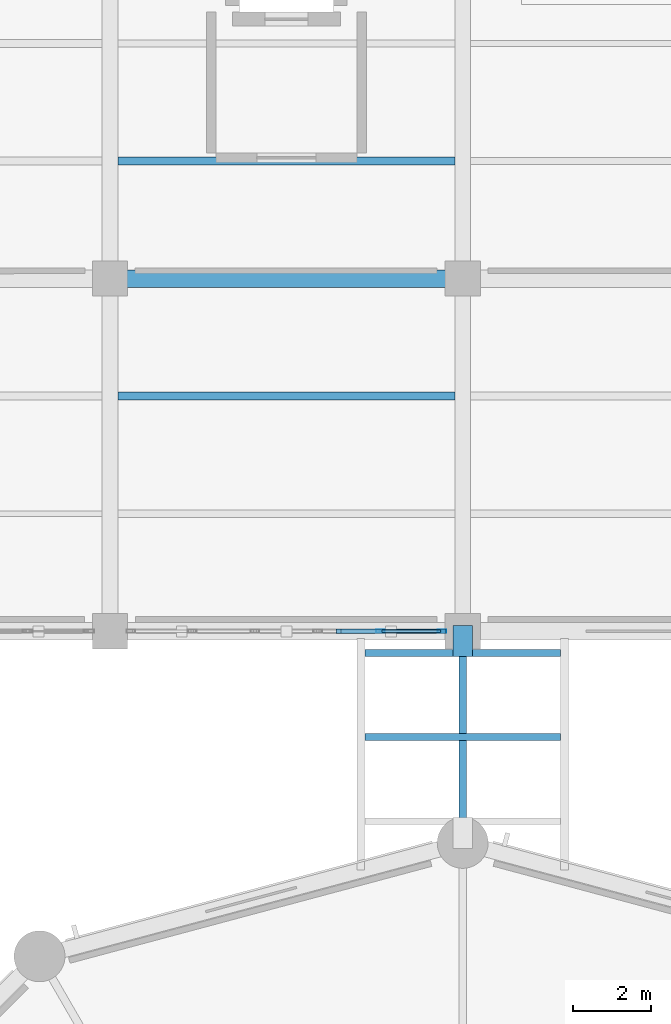
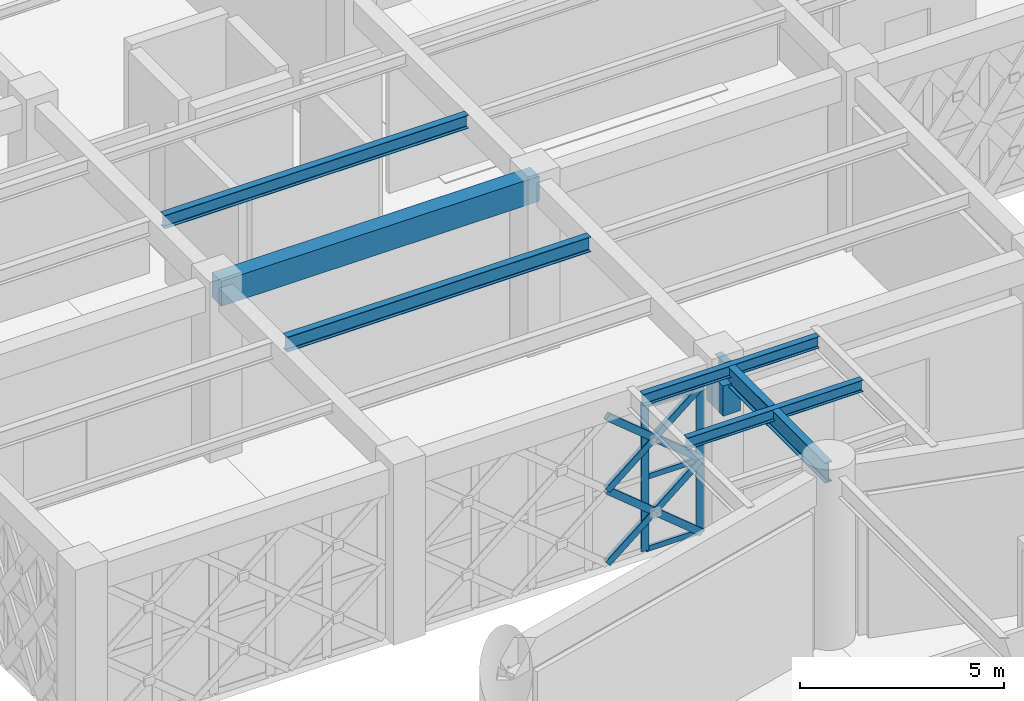
# One storey, part 78 of 166: 11 members, 7 beams, 1 element without a shape of its own.
"""IFC4 building model written with IfcOpenShell, lengths in metres."""

from ifc_helpers import new_model, si_unit, direction, frame, origin, origin_2d, place, context, subcontext, project, spatial, rectangle, hollow_rectangle, i_section, extrude, material, material_profile, profile_set, type_object, element, aggregate, save


model = new_model("IFC4")

# Units and contexts
model_context = context("Model", 3, precision=1e-05, world=origin(), true_north=direction((0.0, 1.0)))
body_context = subcontext(model_context, "Body", "Model", "MODEL_VIEW")
ifc_project = project(units=[si_unit("LENGTHUNIT", "METRE"), si_unit("AREAUNIT", "SQUARE_METRE"), si_unit("VOLUMEUNIT", "CUBIC_METRE"), si_unit("PLANEANGLEUNIT", "RADIAN"), si_unit("MASSUNIT", "GRAM", prefix="KILO")], contexts=[model_context])

# Site, building, storey
site_placement = place(None, origin())
site = spatial("IfcSite", under=ifc_project, at=site_placement, CompositionType="ELEMENT")
building_placement = place(site_placement, origin())
building = spatial("IfcBuilding", under=site, at=building_placement, Name="Haizhuo Lancet Aquarium", CompositionType="ELEMENT")
storey_placement = place(building_placement, frame((0.0, 0.0, 5.39990234375)))
storey = spatial("IfcBuildingStorey", under=building, at=storey_placement, Name="L01", CompositionType="ELEMENT", Elevation=5.39990234375)

# Beams
ifc_material_1 = material(Name="Concrete C40/50", Category="concrete")
ifc_material_profile_1 = material_profile(ifc_material_1, rectangle(XDim=0.449951171875, YDim=0.75, at=origin_2d()), Name="RC-BM 450x750")
ifc_profile_set_1 = profile_set([ifc_material_profile_1], Name="Concrete C40/50")
beam_type_1 = type_object("IfcBeamType", Name="BM-RC-450x750", PredefinedType="BEAM", material=ifc_profile_set_1)
beam_1_placement = place(storey_placement, frame((-9.0, 36.0, 4.76513671875), z_axis=(1.0, 0.0, 0.0), x_axis=(0.0, 1.0, 0.0)))
element("IfcBeam", 1, at=beam_1_placement, inside=storey, type_object=beam_type_1, Name="L01 V5 primary girder BM-L01-V5-013", PredefinedType="BEAM", context=body_context, shape_type="SweptSolid", body=[
    extrude(rectangle(XDim=0.449951171875, YDim=0.75, at=origin_2d()), origin(), (0.0, 0.0, 1.0), 9.0),
])
ifc_material_profile_2 = material_profile(ifc_material_1, rectangle(XDim=0.5, YDim=0.89990234375, at=origin_2d()), Name="RC-BM 500x900")
ifc_profile_set_2 = profile_set([ifc_material_profile_2], Name="Concrete C40/50")
beam_type_2 = type_object("IfcBeamType", Name="BM-RC-500x900", PredefinedType="BEAM", material=ifc_profile_set_2)
beam_2_placement = place(storey_placement, frame((0.0, 27.14990234375, 4.205078125), z_axis=(0.0, -1.0, 0.0), x_axis=(1.0, 0.0, 0.0)))
element("IfcBeam", 2, at=beam_2_placement, inside=storey, type_object=beam_type_2, Name="Reinforced concrete bridge bearing corbel SB-03 1N", PredefinedType="BEAM", context=body_context, shape_type="SweptSolid", body=[
    extrude(rectangle(XDim=0.5, YDim=0.89990234375, at=origin_2d()), origin(), (0.0, 0.0, 1.0), 0.7998046875),
])
ifc_material_2 = material(Name="Steel S355", Category="steel")
ifc_material_profile_3 = material_profile(ifc_material_2, i_section(OverallWidth=0.199951171875, OverallDepth=0.60009765625, WebThickness=0.010986328125, FlangeThickness=0.01708984375, FilletRadius=0.02197265625, at=origin_2d()), Name="HN 600x200x11x17")
ifc_profile_set_3 = profile_set([ifc_material_profile_3], Name="Steel S355")
beam_type_3 = type_object("IfcBeamType", Name="BM-ST-HN600", PredefinedType="BEAM", material=ifc_profile_set_3)
beam_3_placement = place(storey_placement, frame((0.0, 21.60009765625, 4.880126953125), z_axis=(0.0, 1.0, 0.0), x_axis=(-1.0, 0.0, 0.0)))
element("IfcBeam", 3, at=beam_3_placement, inside=storey, type_object=beam_type_3, Name="Glazed bridge longitudinal girder SB-03 1", PredefinedType="BEAM", context=body_context, shape_type="SweptSolid", body=[
    extrude(i_section(OverallWidth=0.199951171875, OverallDepth=0.60009765625, WebThickness=0.010986328125, FlangeThickness=0.01708984375, FilletRadius=0.02197265625, at=origin_2d()), origin(), (0.0, 0.0, 1.0), 5.39990234375),
])

# Curtain wall, members
ifc_material_3 = material(Name="Aluminium 6063-T6", Category="aluminium")
curtain_wall_type = type_object("IfcCurtainWallType", Name="CWO-8010x4390", PredefinedType="NOTDEFINED", material=ifc_material_3)
curtain_wall_placement = place(storey_placement, origin())
curtain_wall = element("IfcCurtainWall", 4, at=curtain_wall_placement, inside=storey, type_object=curtain_wall_type, Name="L01 curtain wall CW-V5-L01-140", PredefinedType="NOTDEFINED")
ifc_material_profile_4 = material_profile(ifc_material_3, hollow_rectangle(XDim=0.074951171875, YDim=0.219970703125, WallThickness=0.0048828125, at=origin_2d()), Name="ALU-M 75x220x5")
ifc_profile_set_4 = profile_set([ifc_material_profile_4], Name="Aluminium 6063-T6")
member_type_1 = type_object("IfcMemberType", Name="CW-MUL-2", PredefinedType="MULLION", material=ifc_profile_set_4)
member_1_placement = place(storey_placement, frame((-0.531982421875, 27.0, 0.0), z_axis=(0.0, 0.0, 1.0), x_axis=(0.0, -1.0, 0.0)))
member_1 = element("IfcMember", 5, at=member_1_placement, type_object=member_type_1, Name="CWO-80x43 mullion 1", PredefinedType="MULLION", context=body_context, shape_type="SweptSolid", body=[
    extrude(hollow_rectangle(XDim=0.074951171875, YDim=0.219970703125, WallThickness=0.0048828125, at=origin_2d()), origin(), (0.0, 0.0, 1.0), 4.39013671875),
])
member_2_placement = place(storey_placement, frame((-2.096923828125, 27.0, 0.0), z_axis=(0.0, 0.0, 1.0), x_axis=(0.0, -1.0, 0.0)))
member_2 = element("IfcMember", 6, at=member_2_placement, type_object=member_type_1, Name="CWO-80x43 mullion 2", PredefinedType="MULLION", context=body_context, shape_type="SweptSolid", body=[
    extrude(hollow_rectangle(XDim=0.074951171875, YDim=0.219970703125, WallThickness=0.0048828125, at=origin_2d()), origin(), (0.0, 0.0, 1.0), 4.39013671875),
])
ifc_material_profile_5 = material_profile(ifc_material_3, hollow_rectangle(XDim=0.074951171875, YDim=0.159912109375, WallThickness=0.00390625, at=origin_2d()), Name="ALU-T 75x160x4")
ifc_profile_set_5 = profile_set([ifc_material_profile_5], Name="Aluminium 6063-T6")
member_type_2 = type_object("IfcMemberType", Name="CW-TRN-2", PredefinedType="NOTDEFINED", material=ifc_profile_set_5)
member_3_placement = place(storey_placement, frame((-0.570068359375, 27.0, 0.0380859375), z_axis=(-1.0, 0.0, 0.0), x_axis=(0.0, -1.0, 0.0)))
member_3 = element("IfcMember", 7, at=member_3_placement, type_object=member_type_2, Name="CWO-80x43 transom 1.1", ObjectType="TRANSOM", PredefinedType="USERDEFINED", context=body_context, shape_type="SweptSolid", body=[
    extrude(hollow_rectangle(XDim=0.074951171875, YDim=0.159912109375, WallThickness=0.00390625, at=origin_2d()), origin(), (0.0, 0.0, 1.0), 1.489990234375),
])
member_4_placement = place(storey_placement, frame((-0.570068359375, 27.0, 2.195068359375), z_axis=(-1.0, 0.0, 0.0), x_axis=(0.0, -1.0, 0.0)))
member_4 = element("IfcMember", 8, at=member_4_placement, type_object=member_type_2, Name="CWO-80x43 transom 1.2", ObjectType="TRANSOM", PredefinedType="USERDEFINED", context=body_context, shape_type="SweptSolid", body=[
    extrude(hollow_rectangle(XDim=0.074951171875, YDim=0.159912109375, WallThickness=0.00390625, at=origin_2d()), origin(), (0.0, 0.0, 1.0), 1.489990234375),
])
member_5_placement = place(storey_placement, frame((-0.570068359375, 27.0, 4.35205078125), z_axis=(-1.0, 0.0, 0.0), x_axis=(0.0, -1.0, 0.0)))
member_5 = element("IfcMember", 9, at=member_5_placement, type_object=member_type_2, Name="CWO-80x43 transom 1.3", ObjectType="TRANSOM", PredefinedType="USERDEFINED", context=body_context, shape_type="SweptSolid", body=[
    extrude(hollow_rectangle(XDim=0.074951171875, YDim=0.159912109375, WallThickness=0.00390625, at=origin_2d()), origin(), (0.0, 0.0, 1.0), 1.489990234375),
])
aggregate(curtain_wall, [member_1, member_2, member_3, member_4, member_5])

# Beams
ifc_material_profile_6 = material_profile(ifc_material_2, i_section(OverallWidth=0.175048828125, OverallDepth=0.35009765625, WebThickness=0.007080078125, FlangeThickness=0.010986328125, FilletRadius=0.013916015625, at=origin_2d()), Name="HN 350x175x7x11")
ifc_profile_set_6 = profile_set([ifc_material_profile_6], Name="Steel S355")
beam_type_4 = type_object("IfcBeamType", Name="JST-ST-HN350", PredefinedType="JOIST", material=ifc_profile_set_6)
for number, where, z_axis, x_axis, name in (
    (10, (-2.489990234375, 24.300048828125, 5.005126953125), (1.0, 0.0, 0.0), (0.0, 1.0, 0.0), "Glazed bridge floor cross joist SB-03 M"),
    (11, (-2.489990234375, 26.449951171875, 5.005126953125), (1.0, 0.0, 0.0), (0.0, 1.0, 0.0), "Glazed bridge floor cross joist SB-03 N"),
):
    element("IfcBeam", number, at=place(storey_placement, frame(where, z_axis=z_axis, x_axis=x_axis)), inside=storey, type_object=beam_type_4, Name=name, PredefinedType="JOIST", context=body_context, shape_type="SweptSolid", body=[
        extrude(i_section(OverallWidth=0.175048828125, OverallDepth=0.35009765625, WebThickness=0.007080078125, FlangeThickness=0.010986328125, FilletRadius=0.013916015625, at=origin_2d()), origin(), (0.0, 0.0, 1.0), 4.97998046875),
    ])
ifc_material_profile_7 = material_profile(ifc_material_2, i_section(OverallWidth=0.199951171875, OverallDepth=0.39990234375, WebThickness=0.008056640625, FlangeThickness=0.012939453125, FilletRadius=0.01611328125, at=origin_2d()), Name="HN 400x200x8x13")
ifc_profile_set_7 = profile_set([ifc_material_profile_7], Name="Steel S355")
beam_type_5 = type_object("IfcBeamType", Name="JST-ST-HN400", PredefinedType="JOIST", material=ifc_profile_set_7)
beam_4_placement = place(storey_placement, frame((-8.800048828125, 39.0, 4.940185546875), z_axis=(1.0, 0.0, 0.0), x_axis=(0.0, 1.0, 0.0)))
element("IfcBeam", 12, at=beam_4_placement, inside=storey, type_object=beam_type_5, Name="L01 V5 secondary floor joist 10", PredefinedType="JOIST", context=body_context, shape_type="SweptSolid", body=[
    extrude(i_section(OverallWidth=0.199951171875, OverallDepth=0.39990234375, WebThickness=0.008056640625, FlangeThickness=0.012939453125, FilletRadius=0.01611328125, at=origin_2d()), origin(), (0.0, 0.0, 1.0), 8.60009765625),
])
ifc_material_profile_8 = material_profile(ifc_material_2, i_section(OverallWidth=0.199951171875, OverallDepth=0.449951171875, WebThickness=0.009033203125, FlangeThickness=0.013916015625, FilletRadius=0.01806640625, at=origin_2d()), Name="HN 450x200x9x14")
ifc_profile_set_8 = profile_set([ifc_material_profile_8], Name="Steel S355")
beam_type_6 = type_object("IfcBeamType", Name="JST-ST-HN450", PredefinedType="JOIST", material=ifc_profile_set_8)
beam_5_placement = place(storey_placement, frame((-8.800048828125, 33.0, 4.9150390625), z_axis=(1.0, 0.0, 0.0), x_axis=(0.0, 1.0, 0.0)))
element("IfcBeam", 13, at=beam_5_placement, inside=storey, type_object=beam_type_6, Name="L01 V5 secondary floor joist 9", PredefinedType="JOIST", context=body_context, shape_type="SweptSolid", body=[
    extrude(i_section(OverallWidth=0.199951171875, OverallDepth=0.449951171875, WebThickness=0.009033203125, FlangeThickness=0.013916015625, FilletRadius=0.01806640625, at=origin_2d()), origin(), (0.0, 0.0, 1.0), 8.60009765625),
])

# Members
ifc_material_profile_9 = material_profile(ifc_material_2, hollow_rectangle(XDim=0.1201171875, YDim=0.199951171875, WallThickness=0.008056640625, at=origin_2d()), Name="RHS 120x200x8")
ifc_profile_set_9 = profile_set([ifc_material_profile_9], Name="Steel S355")
member_type_3 = type_object("IfcMemberType", Name="MEM-LB-RHS120x200", PredefinedType="BRACE", material=ifc_profile_set_9)
member_6_placement = place(storey_placement, frame((-0.4951171875, 27.0, 0.0), z_axis=(-0.772453976084, 0.0, 0.635070747895), x_axis=(0.0, -1.0, 0.0)))
element("IfcMember", 14, at=member_6_placement, inside=storey, type_object=member_type_3, Name="Gothic lancet continuous diagonal brace CW-V5-L01-140 1A", PredefinedType="BRACE", context=body_context, shape_type="SweptSolid", body=[
    extrude(hollow_rectangle(XDim=0.1201171875, YDim=0.199951171875, WallThickness=0.008056640625, at=origin_2d()), origin(), (0.0, 0.0, 1.0), 3.456298828125),
])
member_7_placement = place(storey_placement, frame((-3.1650390625, 27.0, 0.0), z_axis=(0.772280733977, 0.0, 0.635281408454), x_axis=(0.0, 1.0, 0.0)))
element("IfcMember", 15, at=member_7_placement, inside=storey, type_object=member_type_3, Name="Gothic lancet split diagonal brace CW-V5-L01-140 1B1", PredefinedType="BRACE", context=body_context, shape_type="SweptSolid", body=[
    extrude(hollow_rectangle(XDim=0.1201171875, YDim=0.199951171875, WallThickness=0.008056640625, at=origin_2d()), origin(), (0.0, 0.0, 1.0), 1.728515625),
])
member_8_placement = place(storey_placement, frame((-1.830078125, 27.0, 1.09814453125), z_axis=(0.772627238419, 0.0, 0.634859945541), x_axis=(0.0, 1.0, 0.0)))
element("IfcMember", 16, at=member_8_placement, inside=storey, type_object=member_type_3, Name="Gothic lancet split diagonal brace CW-V5-L01-140 1B2", PredefinedType="BRACE", context=body_context, shape_type="SweptSolid", body=[
    extrude(hollow_rectangle(XDim=0.1201171875, YDim=0.199951171875, WallThickness=0.008056640625, at=origin_2d()), origin(), (0.0, 0.0, 1.0), 1.727783203125),
])
member_9_placement = place(storey_placement, frame((-0.4951171875, 27.0, 2.195068359375), z_axis=(-0.772453976084, 0.0, 0.635070747895), x_axis=(0.0, -1.0, 0.0)))
element("IfcMember", 17, at=member_9_placement, inside=storey, type_object=member_type_3, Name="Gothic lancet continuous diagonal brace CW-V5-L01-140 2A", PredefinedType="BRACE", context=body_context, shape_type="SweptSolid", body=[
    extrude(hollow_rectangle(XDim=0.1201171875, YDim=0.199951171875, WallThickness=0.008056640625, at=origin_2d()), origin(), (0.0, 0.0, 1.0), 3.456298828125),
])
member_10_placement = place(storey_placement, frame((-3.1650390625, 27.0, 2.195068359375), z_axis=(0.772627238419, 0.0, 0.634859945541), x_axis=(0.0, 1.0, 0.0)))
element("IfcMember", 18, at=member_10_placement, inside=storey, type_object=member_type_3, Name="Gothic lancet split diagonal brace CW-V5-L01-140 2B1", PredefinedType="BRACE", context=body_context, shape_type="SweptSolid", body=[
    extrude(hollow_rectangle(XDim=0.1201171875, YDim=0.199951171875, WallThickness=0.008056640625, at=origin_2d()), origin(), (0.0, 0.0, 1.0), 1.727783203125),
])
member_11_placement = place(storey_placement, frame((-1.830078125, 27.0, 3.2919921875), z_axis=(0.772280733977, 0.0, 0.635281408454), x_axis=(0.0, 1.0, 0.0)))
element("IfcMember", 19, at=member_11_placement, inside=storey, type_object=member_type_3, Name="Gothic lancet split diagonal brace CW-V5-L01-140 2B2", PredefinedType="BRACE", context=body_context, shape_type="SweptSolid", body=[
    extrude(hollow_rectangle(XDim=0.1201171875, YDim=0.199951171875, WallThickness=0.008056640625, at=origin_2d()), origin(), (0.0, 0.0, 1.0), 1.728515625),
])

save(model, "model.ifc")
